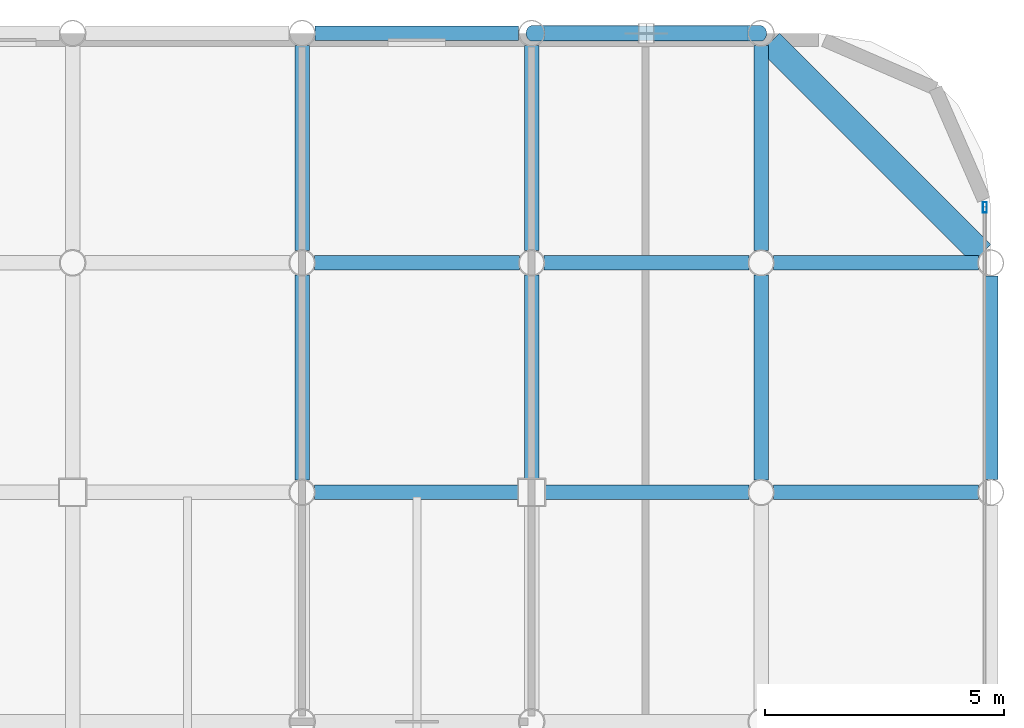
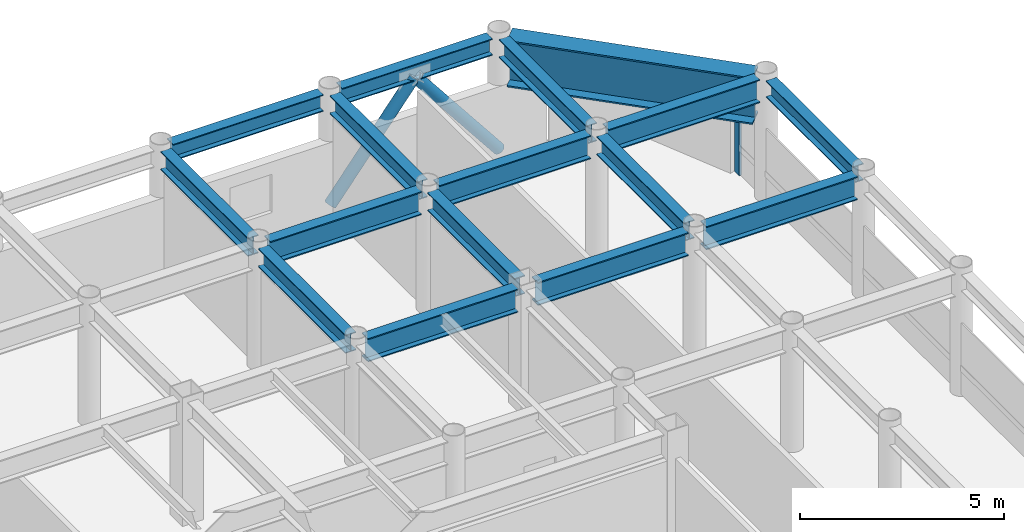
# One storey, part 16 of 22: 16 beams, 3 members, 1 element without a shape of its own.
"""IFC4 building model written with IfcOpenShell, lengths in metres."""

from ifc_helpers import new_model, si_unit, direction, frame, origin, origin_2d, place, context, subcontext, project, spatial, hollow_rectangle, hollow_circle, i_section, extrude, material, layer, layer_set, material_profile, profile_set, type_object, element, aggregate, save


model = new_model("IFC4")

# Units and contexts
model_context = context("Model", 3, precision=1e-05, world=origin(), true_north=direction((0.0, 1.0)))
body_context = subcontext(model_context, "Body", "Model", "MODEL_VIEW")
ifc_project = project(units=[si_unit("LENGTHUNIT", "METRE"), si_unit("AREAUNIT", "SQUARE_METRE"), si_unit("VOLUMEUNIT", "CUBIC_METRE"), si_unit("PLANEANGLEUNIT", "RADIAN"), si_unit("MASSUNIT", "GRAM", prefix="KILO")], contexts=[model_context])

# Site, building, storey
site_placement = place(None, origin())
site = spatial("IfcSite", under=ifc_project, at=site_placement, CompositionType="ELEMENT")
building_placement = place(site_placement, origin())
building = spatial("IfcBuilding", under=site, at=building_placement, Name="Kallvorn Hotel Tower", CompositionType="ELEMENT")
storey_placement = place(building_placement, frame((0.0, 0.0, 230.0)))
storey = spatial("IfcBuildingStorey", under=building, at=storey_placement, Name="L57", CompositionType="ELEMENT", Elevation=230.0)

# Beams
ifc_material_1 = material(Name="Structural steel S355JR", Category="steel")
ifc_material_profile_1 = material_profile(ifc_material_1, i_section(OverallWidth=0.300048828125, OverallDepth=0.5, WebThickness=0.014404296875, FlangeThickness=0.028076171875, at=origin_2d()), Name="HE 500 B")
ifc_profile_set_1 = profile_set([ifc_material_profile_1], Name="Structural steel S355JR")
beam_type_1 = type_object("IfcBeamType", Name="BM_HE500B", PredefinedType="SPANDREL", material=ifc_profile_set_1)
for number, where, z_axis, x_axis, name in (
    (1, (19.469482421875, 24.0, 3.419921875), (1.0, 0.0, 0.0), (0.0, 1.0, 0.0), "L58 Perimeter Spandrel 172"),
    (2, (24.26953125, 24.0, 3.419921875), (1.0, 0.0, 0.0), (0.0, 1.0, 0.0), "L58 Perimeter Spandrel 173"),
    (3, (33.60009765625, 14.66943359375, 3.419921875), (0.0, 1.0, 0.0), (-1.0, 0.0, 0.0), "L58 Perimeter Spandrel 188"),
):
    element("IfcBeam", number, at=place(storey_placement, frame(where, z_axis=z_axis, x_axis=x_axis)), inside=storey, type_object=beam_type_1, Name=name, PredefinedType="SPANDREL", context=body_context, shape_type="SweptSolid", body=[
        extrude(i_section(OverallWidth=0.300048828125, OverallDepth=0.5, WebThickness=0.014404296875, FlangeThickness=0.028076171875, at=origin_2d()), origin(), (0.0, 0.0, 1.0), 4.260986328125),
    ])
ifc_material_2 = material(Name="Structural steel S355JR", Category="steel")
ifc_material_profile_2 = material_profile(ifc_material_2, i_section(OverallWidth=0.300048828125, OverallDepth=0.550048828125, WebThickness=0.014892578125, FlangeThickness=0.029052734375, at=origin_2d()), Name="HE 550 B")
ifc_profile_set_2 = profile_set([ifc_material_profile_2], Name="Structural steel S355JR")
beam_type_2 = type_object("IfcBeamType", Name="BM_HE550B", PredefinedType="SPANDREL", material=ifc_profile_set_2)
for number, where, z_axis, x_axis, name in (
    (4, (19.199951171875, 14.654541015625, 3.39501953125), (0.0, 1.0, 0.0), (-1.0, 0.0, 0.0), "L58 Primary Y-Girder 133"),
    (5, (19.199951171875, 19.45458984375, 3.39501953125), (0.0, 1.0, 0.0), (-1.0, 0.0, 0.0), "L58 Primary Y-Girder 134"),
):
    element("IfcBeam", number, at=place(storey_placement, frame(where, z_axis=z_axis, x_axis=x_axis)), inside=storey, type_object=beam_type_2, Name=name, PredefinedType="SPANDREL", context=body_context, shape_type="SweptSolid", body=[
        extrude(i_section(OverallWidth=0.300048828125, OverallDepth=0.550048828125, WebThickness=0.014892578125, FlangeThickness=0.029052734375, at=origin_2d()), origin(), (0.0, 0.0, 1.0), 4.291015625),
    ])
beam_1_placement = place(storey_placement, frame((24.0, 14.675048828125, 3.39501953125), z_axis=(0.0, 1.0, 0.0), x_axis=(-1.0, 0.0, 0.0)))
element("IfcBeam", 6, at=beam_1_placement, inside=storey, type_object=beam_type_2, Name="L58 Primary Y-Girder 140", PredefinedType="SPANDREL", context=body_context, shape_type="SweptSolid", body=[
    extrude(i_section(OverallWidth=0.300048828125, OverallDepth=0.550048828125, WebThickness=0.014892578125, FlangeThickness=0.029052734375, at=origin_2d()), origin(), (0.0, 0.0, 1.0), 4.2705078125),
])
for number, where, z_axis, x_axis, name in (
    (7, (24.0, 19.45458984375, 3.39501953125), (0.0, 1.0, 0.0), (-1.0, 0.0, 0.0), "L58 Primary Y-Girder 141"),
    (8, (28.800048828125, 14.654541015625, 3.39501953125), (0.0, 1.0, 0.0), (-1.0, 0.0, 0.0), "L58 Primary Y-Girder 149"),
    (9, (28.800048828125, 19.45458984375, 3.39501953125), (0.0, 1.0, 0.0), (-1.0, 0.0, 0.0), "L58 Primary Y-Girder 150"),
):
    element("IfcBeam", number, at=place(storey_placement, frame(where, z_axis=z_axis, x_axis=x_axis)), inside=storey, type_object=beam_type_2, Name=name, PredefinedType="SPANDREL", context=body_context, shape_type="SweptSolid", body=[
        extrude(i_section(OverallWidth=0.300048828125, OverallDepth=0.550048828125, WebThickness=0.014892578125, FlangeThickness=0.029052734375, at=origin_2d()), origin(), (0.0, 0.0, 1.0), 4.291015625),
    ])
ifc_material_3 = material(Name="Structural steel S355JR", Category="steel")
ifc_material_profile_3 = material_profile(ifc_material_3, i_section(OverallWidth=0.300048828125, OverallDepth=0.699951171875, WebThickness=0.01708984375, FlangeThickness=0.031982421875, at=origin_2d()), Name="HE 700 B")
ifc_profile_set_3 = profile_set([ifc_material_profile_3], Name="Structural steel S355JR")
beam_type_3 = type_object("IfcBeamType", Name="BM_HE700B", PredefinedType="BEAM", material=ifc_profile_set_3)
for number, where, z_axis, x_axis, name in (
    (10, (19.45458984375, 14.39990234375, 3.320068359375), (1.0, 0.0, 0.0), (0.0, 1.0, 0.0), "L58 Primary X-Girder 57"),
    (11, (24.27490234375, 14.39990234375, 3.320068359375), (1.0, 0.0, 0.0), (0.0, 1.0, 0.0), "L58 Primary X-Girder 58"),
):
    element("IfcBeam", number, at=place(storey_placement, frame(where, z_axis=z_axis, x_axis=x_axis)), inside=storey, type_object=beam_type_3, Name=name, PredefinedType="BEAM", context=body_context, shape_type="SweptSolid", body=[
        extrude(i_section(OverallWidth=0.300048828125, OverallDepth=0.699951171875, WebThickness=0.01708984375, FlangeThickness=0.031982421875, at=origin_2d()), origin(), (0.0, 0.0, 1.0), 4.2705078125),
    ])
for number, where, z_axis, x_axis, name in (
    (12, (29.054443359375, 14.39990234375, 3.320068359375), (1.0, 0.0, 0.0), (0.0, 1.0, 0.0), "L58 Primary X-Girder 59"),
    (13, (19.45458984375, 19.199951171875, 3.320068359375), (1.0, 0.0, 0.0), (0.0, 1.0, 0.0), "L58 Primary X-Girder 70"),
    (14, (24.25439453125, 19.199951171875, 3.320068359375), (1.0, 0.0, 0.0), (0.0, 1.0, 0.0), "L58 Primary X-Girder 71"),
    (15, (29.054443359375, 19.199951171875, 3.320068359375), (1.0, 0.0, 0.0), (0.0, 1.0, 0.0), "L58 Primary X-Girder 72"),
):
    element("IfcBeam", number, at=place(storey_placement, frame(where, z_axis=z_axis, x_axis=x_axis)), inside=storey, type_object=beam_type_3, Name=name, PredefinedType="BEAM", context=body_context, shape_type="SweptSolid", body=[
        extrude(i_section(OverallWidth=0.300048828125, OverallDepth=0.699951171875, WebThickness=0.01708984375, FlangeThickness=0.031982421875, at=origin_2d()), origin(), (0.0, 0.0, 1.0), 4.291015625),
    ])
ifc_material_4 = material(Name="Structural steel S355JR", Category="steel")
ifc_material_profile_4 = material_profile(ifc_material_4, i_section(OverallWidth=0.550048828125, OverallDepth=1.39990234375, WebThickness=0.02490234375, FlangeThickness=0.044921875, at=origin_2d()), Name="PG 1400x550x25x45")
ifc_profile_set_4 = profile_set([ifc_material_profile_4], Name="Structural steel S355JR")
beam_type_4 = type_object("IfcBeamType", Name="BM_PG_1400", PredefinedType="BEAM", material=ifc_profile_set_4)
beam_2_placement = place(storey_placement, frame((33.409423828125, 19.390625, 2.969970703125), z_axis=(-0.707126314793, 0.707087247041, 0.0), x_axis=(-0.707087247041, -0.707126314793, 0.0)))
element("IfcBeam", 16, at=beam_2_placement, inside=storey, type_object=beam_type_4, Name="L58 Rounded Corner Tie Beam 191", PredefinedType="BEAM", context=body_context, shape_type="SweptSolid", body=[
    extrude(i_section(OverallWidth=0.550048828125, OverallDepth=1.39990234375, WebThickness=0.02490234375, FlangeThickness=0.044921875, at=origin_2d()), origin(), (0.0, 0.0, 1.0), 6.249267578125),
])

# Curtain wall, member
ifc_material_5 = material(Name="Thermally broken black-anodised aluminium AA 6063-T6", Category="aluminium")
ifc_layer = layer(ifc_material_5, 0.22998046875)
ifc_layer_set = layer_set([ifc_layer], Name="CW_SYS_5_HOTEL_HIGH")
curtain_wall_type = type_object("IfcCurtainWallType", Name="CW_SYS_5_HOTEL_HIGH", PredefinedType="USERDEFINED", material=ifc_layer_set)
curtain_wall_placement = place(storey_placement, origin())
curtain_wall = element("IfcCurtainWall", 17, at=curtain_wall_placement, inside=storey, type_object=curtain_wall_type, Name="L57 Dark-Glass Curtain Wall CW-L57-EN", ObjectType="UNITISED CURTAIN WALL", PredefinedType="USERDEFINED")
ifc_material_6 = material(Name="Thermally broken black-anodised aluminium AA 6063-T6", Category="aluminium")
ifc_material_profile_5 = material_profile(ifc_material_6, hollow_rectangle(XDim=0.080078125, YDim=0.219970703125, WallThickness=0.0048828125, at=origin_2d()), Name="MUL 220x80")
ifc_profile_set_5 = profile_set([ifc_material_profile_5], Name="Thermally broken black-anodised aluminium AA 6063-T6")
member_type_1 = type_object("IfcMemberType", Name="CW_MULLION_220x80", PredefinedType="MULLION", material=ifc_profile_set_5)
member_placement = place(storey_placement, frame((33.47998046875, 20.360107421875, 0.02001953125), z_axis=(0.0, 0.0, 1.0), x_axis=(1.0, 0.0, 0.0)))
member = element("IfcMember", 18, at=member_placement, type_object=member_type_1, Name="CW-L57-EN Mullion 01", PredefinedType="MULLION", context=body_context, shape_type="SweptSolid", body=[
    extrude(hollow_rectangle(XDim=0.080078125, YDim=0.219970703125, WallThickness=0.0048828125, at=origin_2d()), origin(), (0.0, 0.0, 1.0), 2.22998046875),
])
aggregate(curtain_wall, [member])

# Members
ifc_material_7 = material(Name="Structural steel S355J2H", Category="steel")
ifc_material_profile_6 = material_profile(ifc_material_7, hollow_circle(Radius=0.161865234375, WallThickness=0.012451171875, at=origin_2d()), Name="CHS 323.9x12.5")
ifc_profile_set_6 = profile_set([ifc_material_profile_6], Name="Structural steel S355J2H")
member_type_2 = type_object("IfcMemberType", Name="MBR_EXO_CHS323", PredefinedType="BRACE", material=ifc_profile_set_6)
for number, where, z_axis, x_axis, name in (
    (19, (24.012451171875, 24.0, 0.19580078125), (0.620928510901, 0.0, 0.783867198159), (0.0, 1.0, 0.0), "L57 Exoskeleton K-Brace N2A"),
    (20, (28.78759765625, 24.0, 0.19580078125), (-0.620928510901, 0.0, 0.783867198159), (0.0, -1.0, 0.0), "L57 Exoskeleton K-Brace N2B"),
):
    element("IfcMember", number, at=place(storey_placement, frame(where, z_axis=z_axis, x_axis=x_axis)), inside=storey, type_object=member_type_2, Name=name, PredefinedType="BRACE", context=body_context, shape_type="SweptSolid", body=[
        extrude(hollow_circle(Radius=0.161865234375, WallThickness=0.012451171875, at=origin_2d()), origin(), (0.0, 0.0, 1.0), 3.8251953125),
    ])

save(model, "model.ifc")
